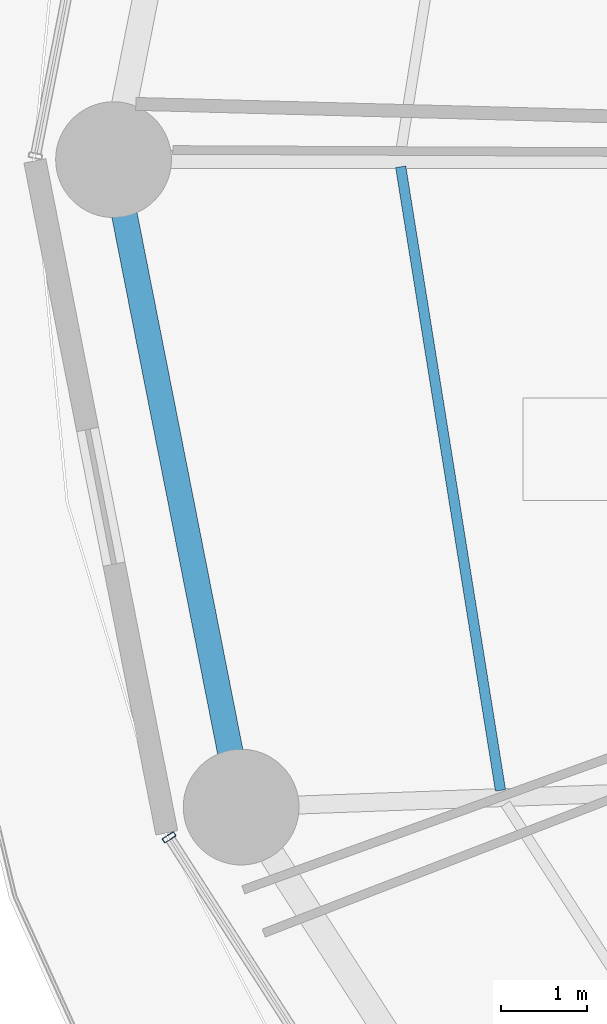
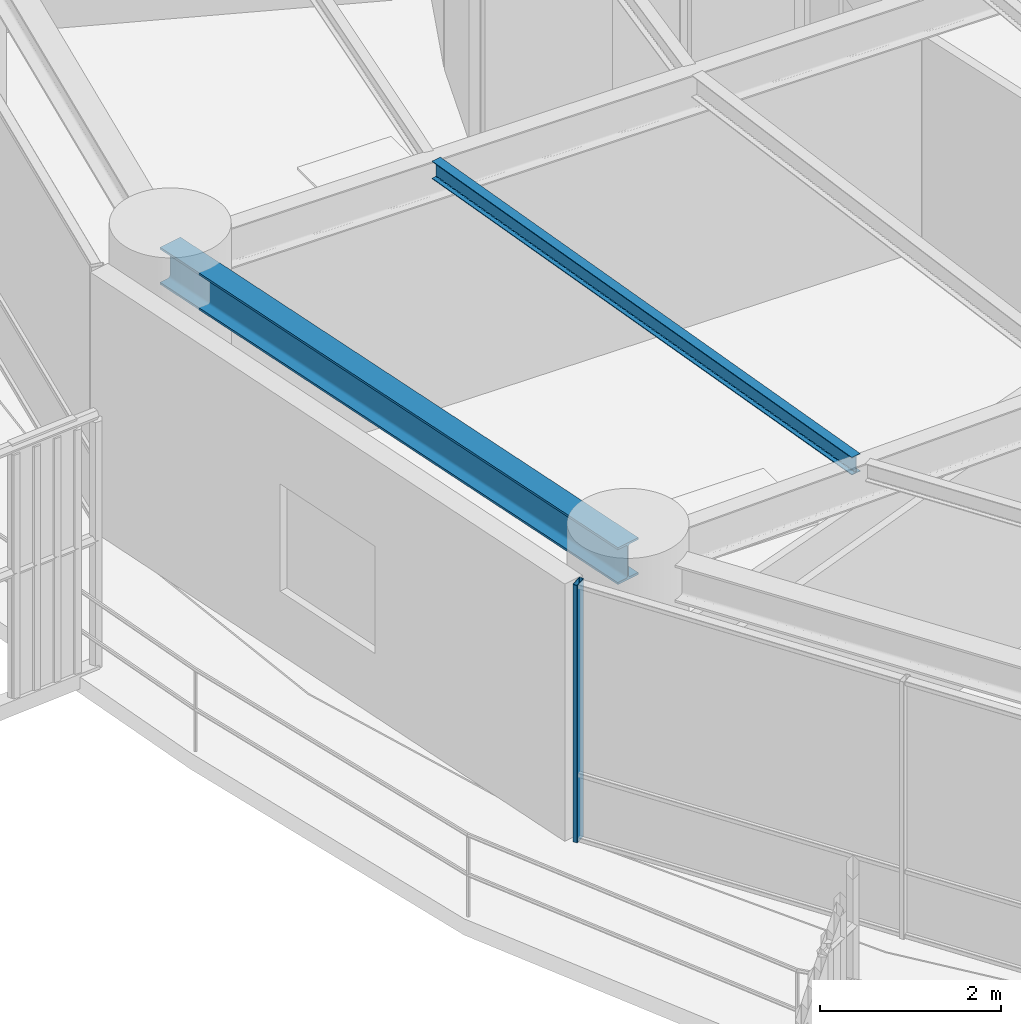
# One storey, part 4 of 33: 2 beams, 1 member, 1 element without a shape of its own.
"""IFC4 building model written with IfcOpenShell, lengths in metres."""

from ifc_helpers import new_model, si_unit, direction, frame, origin, origin_2d, place, context, subcontext, project, spatial, hollow_rectangle, i_section, extrude, material, layer, layer_set, material_profile, profile_set, type_object, element, aggregate, save


model = new_model("IFC4")

# Units and contexts
model_context = context("Model", 3, precision=1e-05, world=origin(), true_north=direction((0.0, 1.0)))
body_context = subcontext(model_context, "Body", "Model", "MODEL_VIEW")
ifc_project = project(units=[si_unit("LENGTHUNIT", "METRE"), si_unit("AREAUNIT", "SQUARE_METRE"), si_unit("VOLUMEUNIT", "CUBIC_METRE"), si_unit("PLANEANGLEUNIT", "RADIAN"), si_unit("MASSUNIT", "GRAM", prefix="KILO")], contexts=[model_context])

# Site, building, storey
site_placement = place(None, origin())
site = spatial("IfcSite", under=ifc_project, at=site_placement, CompositionType="ELEMENT")
building_placement = place(site_placement, origin())
building = spatial("IfcBuilding", under=site, at=building_placement, Name="Kelanora Arch Commons", CompositionType="ELEMENT")
storey_placement = place(building_placement, frame((0.0, 0.0, 80.10009765625)))
storey = spatial("IfcBuildingStorey", under=building, at=storey_placement, Name="L20", CompositionType="ELEMENT", Elevation=80.10009765625)

# Beams
ifc_material_1 = material(Name="Steel S355", Category="steel")
ifc_material_profile_1 = material_profile(ifc_material_1, i_section(OverallWidth=0.1201171875, OverallDepth=0.239990234375, WebThickness=0.006103515625, FlangeThickness=0.009765625, FilletRadius=0.014892578125, at=origin_2d()), Name="IPE240")
ifc_profile_set_1 = profile_set([ifc_material_profile_1], Name="Steel S355")
beam_type_1 = type_object("IfcBeamType", Name="BM-JST-02", PredefinedType="JOIST", material=ifc_profile_set_1)
beam_1_placement = place(storey_placement, frame((52.66943359375, 57.916015625, 3.369873046875), z_axis=(0.157999549894, -0.987439184068, 0.0), x_axis=(0.987439184068, 0.157999549894, 0.0)))
element("IfcBeam", 1, at=beam_1_placement, inside=storey, type_object=beam_type_1, Name="Secondary Chord Joist BJC-18 L20", PredefinedType="JOIST", context=body_context, shape_type="SweptSolid", body=[
    extrude(i_section(OverallWidth=0.1201171875, OverallDepth=0.239990234375, WebThickness=0.006103515625, FlangeThickness=0.009765625, FilletRadius=0.014892578125, at=origin_2d()), origin(), (0.0, 0.0, 1.0), 7.365966796875),
])
ifc_material_profile_2 = material_profile(ifc_material_1, i_section(OverallWidth=0.300048828125, OverallDepth=0.5, WebThickness=0.014404296875, FlangeThickness=0.028076171875, FilletRadius=0.027099609375, at=origin_2d()), Name="HEB500")
ifc_profile_set_2 = profile_set([ifc_material_profile_2], Name="Steel S355")
beam_type_2 = type_object("IfcBeamType", Name="BM-SPN-Z2", PredefinedType="SPANDREL", material=ifc_profile_set_2)
beam_2_placement = place(storey_placement, frame((49.320068359375, 58.0, 3.239990234375), z_axis=(0.19335825777, -0.981128220037, 0.0), x_axis=(0.981128220037, 0.19335825777, 0.0)))
element("IfcBeam", 2, at=beam_2_placement, inside=storey, type_object=beam_type_2, Name="Perimeter Spandrel Beam BS-18 L20", PredefinedType="SPANDREL", context=body_context, shape_type="SweptSolid", body=[
    extrude(i_section(OverallWidth=0.300048828125, OverallDepth=0.5, WebThickness=0.014404296875, FlangeThickness=0.028076171875, FilletRadius=0.027099609375, at=origin_2d()), origin(), (0.0, 0.0, 1.0), 7.697021484375),
])

# Curtain wall, member
ifc_material_2 = material(Name="Terracotta ceramic-fritted low-E glass and aluminium", Category="masonry")
ifc_layer = layer(ifc_material_2, 0.159912109375)
ifc_layer_set = layer_set([ifc_layer], Name="Terracotta ceramic-fritted low-E glass and aluminium")
curtain_wall_type = type_object("IfcCurtainWallType", Name="CW-SYS-01", PredefinedType="NOTDEFINED", material=ifc_layer_set)
curtain_wall_placement = place(storey_placement, origin())
curtain_wall = element("IfcCurtainWall", 3, at=curtain_wall_placement, inside=storey, type_object=curtain_wall_type, Name="Unitised Curtain Wall L20-B10", PredefinedType="NOTDEFINED")
ifc_material_3 = material(Name="Powder-coated aluminium terracotta", Category="masonry")
ifc_material_profile_3 = material_profile(ifc_material_3, hollow_rectangle(XDim=0.159912109375, YDim=0.06005859375, WallThickness=0.0048828125, InnerFilletRadius=0.0048828125, OuterFilletRadius=0.010009765625, at=origin_2d()), Name="CWM160x60")
ifc_profile_set_3 = profile_set([ifc_material_profile_3], Name="Powder-coated aluminium terracotta")
member_type = type_object("IfcMemberType", Name="CWM-STD", PredefinedType="MULLION", material=ifc_profile_set_3)
member_placement = place(storey_placement, frame((49.96826171875, 50.095703125, 0.0), z_axis=(0.0, 0.0, 1.0), x_axis=(0.841268883088, 0.540616931244, 0.0)))
member = element("IfcMember", 4, at=member_placement, type_object=member_type, Name="CW-01 mullion 1", PredefinedType="MULLION", context=body_context, shape_type="SweptSolid", body=[
    extrude(hollow_rectangle(XDim=0.159912109375, YDim=0.06005859375, WallThickness=0.0048828125, InnerFilletRadius=0.0048828125, OuterFilletRadius=0.010009765625, at=origin_2d()), origin(), (0.0, 0.0, 1.0), 3.474853515625),
])
aggregate(curtain_wall, [member])

save(model, "model.ifc")
